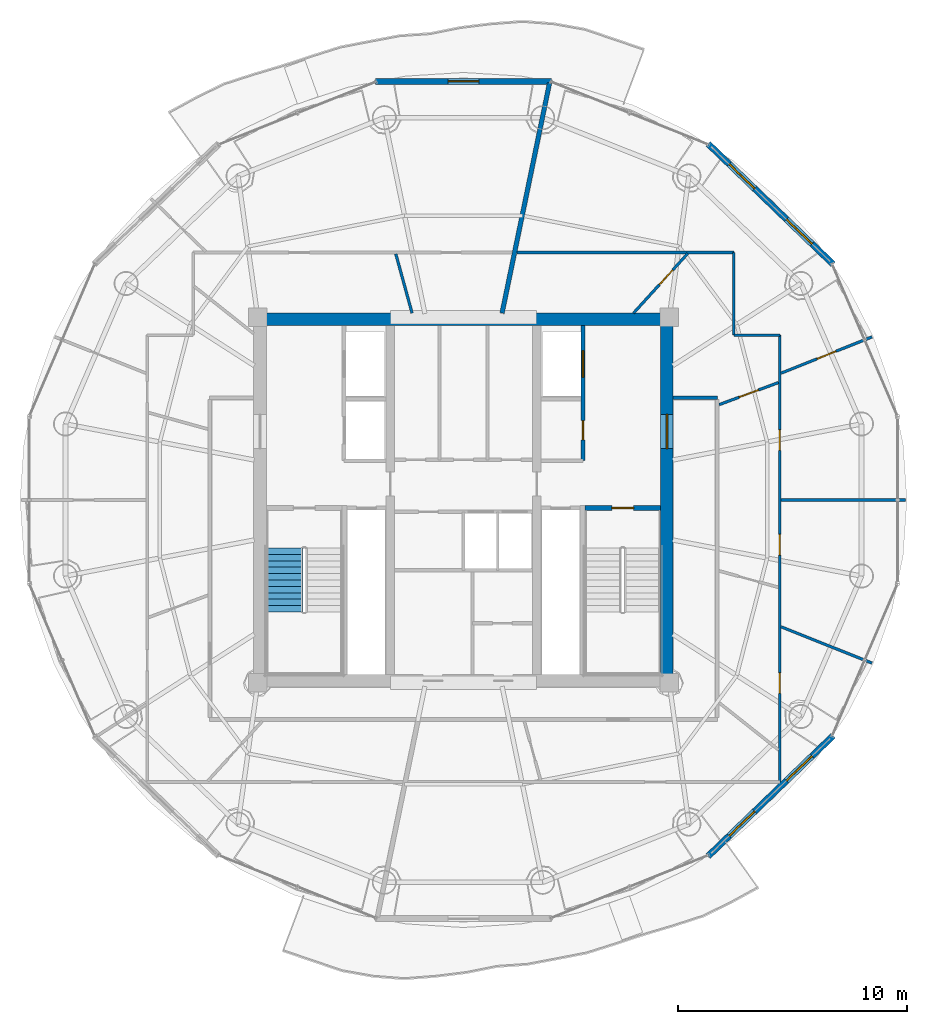
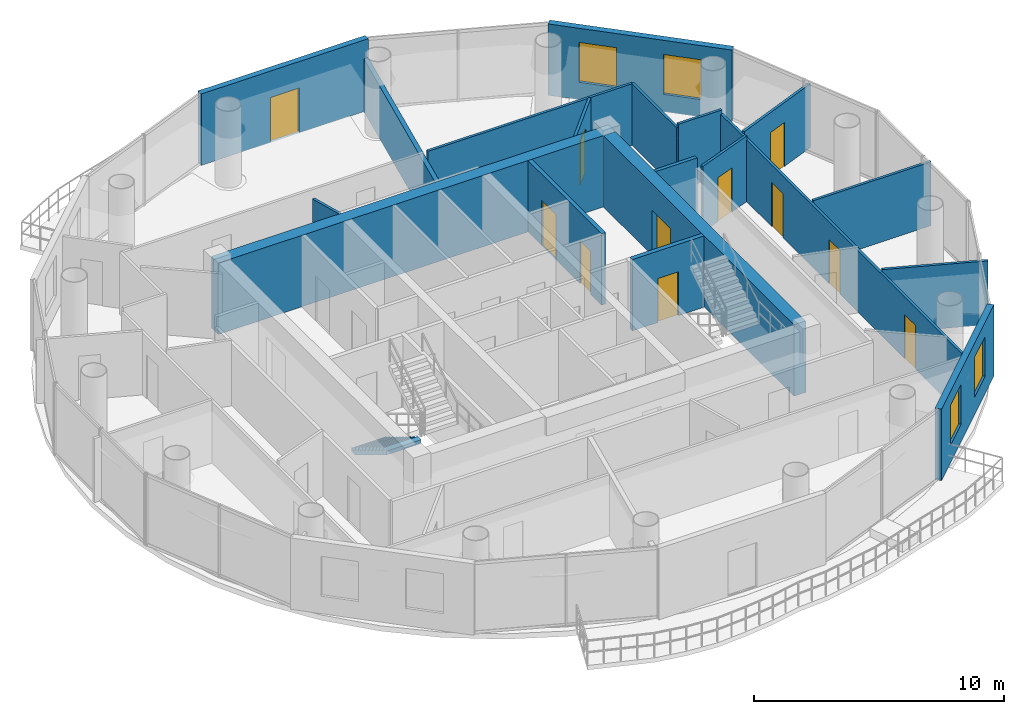
# One storey, part 17 of 22: 19 walls, 11 doors, 4 windows, 1 stair flight, 15 openings, 1 element without a shape of its own.
"""IFC4 building model written with IfcOpenShell, lengths in metres."""

from ifc_helpers import new_model, si_unit, direction, frame, frame_2d, origin, place, context, subcontext, project, spatial, polyline, rectangle, outline, extrude, source, transform, mapped, material, layer, layer_set, type_object, element, fill, aggregate, save


model = new_model("IFC4")

# Units and contexts
model_context = context("Model", 3, precision=1e-05, world=origin(), true_north=direction((-0.2419218956, 0.970295726276)))
body_context = subcontext(model_context, "Body", "Model", "MODEL_VIEW")
ifc_project = project(units=[si_unit("LENGTHUNIT", "METRE"), si_unit("AREAUNIT", "SQUARE_METRE"), si_unit("VOLUMEUNIT", "CUBIC_METRE"), si_unit("PLANEANGLEUNIT", "RADIAN"), si_unit("MASSUNIT", "GRAM", prefix="KILO")], contexts=[model_context])

# Site, building, storey
site_placement = place(None, origin())
site = spatial("IfcSite", under=ifc_project, at=site_placement, CompositionType="ELEMENT")
building_placement = place(site_placement, origin())
building = spatial("IfcBuilding", under=site, at=building_placement, Name="Cobrevalo Terracotta Tower", CompositionType="ELEMENT")
storey_placement = place(building_placement, frame((0.0, 0.0, 289.449951171875)))
storey = spatial("IfcBuildingStorey", under=building, at=storey_placement, Name="L76", CompositionType="ELEMENT", Elevation=289.449951171875)

# Wall
ifc_material_1 = material(Name="Concrete C50", Category="concrete")
ifc_layer_1 = layer(ifc_material_1, 0.550048828125)
ifc_layer_set_1 = layer_set([ifc_layer_1], Name="Concrete C50")
wall_type_1 = type_object("IfcWallType", Name="Core shear wall 550 mm Concrete C50", PredefinedType="SHEAR", material=ifc_layer_set_1)
wall_1_placement = place(storey_placement, frame((28.824951171875, 34.699951171875, 0.0), z_axis=(0.0, 0.0, 1.0), x_axis=(1.0, 0.0, 0.0)))
element("IfcWall", 1, at=wall_1_placement, inside=storey, type_object=wall_type_1, Name="L76 north core shear wall", PredefinedType="SHEAR", context=body_context, shape_type="SweptSolid", body=[
    extrude(rectangle(XDim=18.35009765625, YDim=0.550048828125, at=frame_2d((9.175048828125, 0.0))), origin(), (0.0, 0.0, 1.0), 3.489990234375),
])

# Wall, opening, door
wall_2_placement = place(storey_placement, frame((46.89990234375, 19.175048828125, 0.0), z_axis=(0.0, 0.0, 1.0), x_axis=(0.0, 1.0, 0.0)))
wall_2 = element("IfcWall", 2, at=wall_2_placement, inside=storey, type_object=wall_type_1, Name="L76 east core shear wall", PredefinedType="SHEAR", context=body_context, shape_type="SweptSolid", body=[
    extrude(rectangle(XDim=15.25, YDim=0.550048828125, at=frame_2d((7.625, 0.0))), origin(), (0.0, 0.0, 1.0), 3.489990234375),
])
opening_1_placement = place(wall_2_placement, frame((9.875, 0.0, 0.0)))
opening_1 = element("IfcOpeningElement", 3, at=opening_1_placement, cuts=wall_2, Name="Opening ID-14", PredefinedType="OPENING", context=body_context, shape_type="SweptSolid", body=[
    extrude(rectangle(XDim=1.5, YDim=2.199951171875, at=frame_2d((0.75, 1.10009765625))), frame((0.0, 0.28515625, 0.0), z_axis=(0.0, -1.0, 0.0), x_axis=(1.0, 0.0, 0.0)), (0.0, 0.0, 1.0), 0.570068359375),
])
ifc_material_2 = material(Name="Galvanized fire-rated steel", Category="steel")
door_type_1 = type_object("IfcDoorType", Name="Core cross-lobby double fire door 1500x2200 EI 90", OperationType="NOTDEFINED", PredefinedType="DOOR", material=ifc_material_2)
shared_shape_1 = source(origin(), body_context, "Body", "SweptSolid", [
    extrude(rectangle(XDim=1.5, YDim=2.199951171875, at=frame_2d((0.75, 1.10009765625))), frame((0.0, 0.02490234375, 0.0), z_axis=(0.0, -1.0, 0.0), x_axis=(1.0, 0.0, 0.0)), (0.0, 0.0, 1.0), 0.050048828125),
])
door_1_placement = place(opening_1_placement, frame((1.5, 0.0, 0.0), z_axis=(0.0, 0.0, 1.0), x_axis=(-1.0, 0.0, 0.0)))
door_1 = element("IfcDoor", 4, at=door_1_placement, inside=storey, type_object=door_type_1, Name="L76 east firefighting lobby entrance door", OperationType="DOUBLE_DOOR_SINGLE_SWING", OverallHeight=2.199951171875, OverallWidth=1.5, PredefinedType="DOOR", context=body_context, shape_type="MappedRepresentation", body=[
    mapped(shared_shape_1, transform((0.0, 0.0, 0.0), scale=1.0)),
])
fill(opening_1, door_1)

# Wall
ifc_material_3 = material(Name="Gypsum board on steel stud", Category="steel")
ifc_layer_2 = layer(ifc_material_3, 0.159912109375)
ifc_layer_set_2 = layer_set([ifc_layer_2], Name="Gypsum board on steel stud")
wall_type_2 = type_object("IfcWallType", Name="Fire-rated corridor acoustic partition wall 160 mm", PredefinedType="PARTITIONING", material=ifc_layer_set_2)
wall_3_placement = place(storey_placement, frame((47.175048828125, 31.280029296875, 0.0), z_axis=(0.0, 0.0, 1.0), x_axis=(1.0, 0.0, 0.0)))
element("IfcWall", 5, at=wall_3_placement, inside=storey, type_object=wall_type_2, Name="L76 interior partition IW-L76-COR-EN-CAP", PredefinedType="PARTITIONING", context=body_context, shape_type="SweptSolid", body=[
    extrude(rectangle(XDim=1.929931640625, YDim=0.159912109375, at=frame_2d((0.96484375, 0.0))), origin(), (0.0, 0.0, 1.0), 3.489990234375),
])

# Wall, openings, doors
ifc_layer_3 = layer(ifc_material_3, 0.179931640625)
ifc_layer_set_3 = layer_set([ifc_layer_3], Name="Gypsum board on steel stud")
wall_type_3 = type_object("IfcWallType", Name="Fire-rated shaft & lobby acoustic partition wall 180 mm", PredefinedType="PARTITIONING", material=ifc_layer_set_3)
wall_4_placement = place(storey_placement, frame((43.22998046875, 28.52001953125, 0.0), z_axis=(0.0, 0.0, 1.0), x_axis=(0.0, 1.0, 0.0)))
wall_4 = element("IfcWall", 6, at=wall_4_placement, inside=storey, type_object=wall_type_3, Name="L76 interior partition IW-L76-FF2-E", PredefinedType="PARTITIONING", context=body_context, shape_type="SweptSolid", body=[
    extrude(rectangle(XDim=5.905029296875, YDim=0.179931640625, at=frame_2d((2.95263671875, 0.0))), origin(), (0.0, 0.0, 1.0), 3.489990234375),
])
opening_2_placement = place(wall_4_placement, frame((0.905029296875, 0.0, 0.0)))
opening_2 = element("IfcOpeningElement", 7, at=opening_2_placement, cuts=wall_4, Name="Opening ID-22", PredefinedType="OPENING", context=body_context, shape_type="SweptSolid", body=[
    extrude(rectangle(XDim=0.85009765625, YDim=2.10009765625, at=frame_2d((0.425048828125, 1.050048828125))), frame((0.0, 0.10009765625, 0.0), z_axis=(0.0, -1.0, 0.0), x_axis=(1.0, 0.0, 0.0)), (0.0, 0.0, 1.0), 0.199951171875),
])
opening_3_placement = place(wall_4_placement, frame((3.655029296875, 0.0, 0.0)))
opening_3 = element("IfcOpeningElement", 8, at=opening_3_placement, cuts=wall_4, Name="Opening LD-02", PredefinedType="OPENING", context=body_context, shape_type="SweptSolid", body=[
    extrude(rectangle(XDim=1.14990234375, YDim=2.199951171875, at=frame_2d((0.574951171875, 1.10009765625))), frame((0.0, 0.10009765625, 0.0), z_axis=(0.0, -1.0, 0.0), x_axis=(1.0, 0.0, 0.0)), (0.0, 0.0, 1.0), 0.199951171875),
])
ifc_material_4 = material(Name="Powder-coated steel", Category="steel")
door_type_2 = type_object("IfcDoorType", Name="Riser shaft & meter closet fire access door 850x2100 EI 60", OperationType="NOTDEFINED", PredefinedType="DOOR", material=ifc_material_4)
shared_shape_2 = source(origin(), body_context, "Body", "SweptSolid", [
    extrude(rectangle(XDim=0.85009765625, YDim=2.10009765625, at=frame_2d((0.425048828125, 1.050048828125))), frame((0.0, 0.02490234375, 0.0), z_axis=(0.0, -1.0, 0.0), x_axis=(1.0, 0.0, 0.0)), (0.0, 0.0, 1.0), 0.050048828125),
])
door_2_placement = place(opening_2_placement, frame((0.85009765625, 0.0, 0.0), z_axis=(0.0, 0.0, 1.0), x_axis=(-1.0, 0.0, 0.0)))
door_2 = element("IfcDoor", 9, at=door_2_placement, inside=storey, type_object=door_type_2, Name="L76 housekeeping store door", OperationType="SINGLE_SWING_RIGHT", OverallHeight=2.10009765625, OverallWidth=0.85009765625, PredefinedType="DOOR", context=body_context, shape_type="MappedRepresentation", body=[
    mapped(shared_shape_2, transform((0.0, 0.0, 0.0), scale=1.0)),
])
fill(opening_2, door_2)
ifc_material_5 = material(Name="Brushed stainless steel", Category="steel")
door_type_3 = type_object("IfcDoorType", Name="Firefighting lift landing bi-parting sliding door 1150x2200 EI 120", OperationType="DOUBLE_DOOR_SLIDING", PredefinedType="DOOR", material=ifc_material_5)
shared_shape_3 = source(origin(), body_context, "Body", "SweptSolid", [
    extrude(rectangle(XDim=1.14990234375, YDim=2.199951171875, at=frame_2d((0.574951171875, 1.10009765625))), frame((0.0, 0.02490234375, 0.0), z_axis=(0.0, -1.0, 0.0), x_axis=(1.0, 0.0, 0.0)), (0.0, 0.0, 1.0), 0.050048828125),
])
door_3_placement = place(opening_3_placement, origin())
door_3 = element("IfcDoor", 10, at=door_3_placement, inside=storey, type_object=door_type_3, Name="L76 lift landing door FF-2", OperationType="DOUBLE_DOOR_SLIDING", OverallHeight=2.199951171875, OverallWidth=1.14990234375, PredefinedType="DOOR", context=body_context, shape_type="MappedRepresentation", body=[
    mapped(shared_shape_3, transform((0.0, 0.0, 0.0), scale=1.0)),
])
fill(opening_3, door_3)

# Wall
ifc_material_6 = material(Name="Autoclaved aerated concrete block", Category="concrete")
ifc_layer_4 = layer(ifc_material_6, 0.199951171875)
ifc_layer_set_4 = layer_set([ifc_layer_4], Name="Autoclaved aerated concrete block")
wall_type_4 = type_object("IfcWallType", Name="Fire-rated stair, shaft & demising masonry wall 200 mm", PredefinedType="PARTITIONING", material=ifc_layer_set_4)
wall_5_placement = place(storey_placement, frame((39.6875, 34.97705078125, 0.0), z_axis=(0.0, 0.0, 1.0), x_axis=(0.202091890364, 0.979366564596, 0.0)))
element("IfcWall", 11, at=wall_5_placement, inside=storey, type_object=wall_type_4, Name="L76 interior partition IW-L76-DEM-1", PredefinedType="PARTITIONING", context=body_context, shape_type="SweptSolid", body=[
    extrude(rectangle(XDim=10.2783203125, YDim=0.199951171875, at=frame_2d((5.13916015625, 0.0))), origin(), (0.0, 0.0, 1.0), 2.574951171875),
])

# Wall, openings, windows
ifc_layer_5 = layer(ifc_material_6, 0.280029296875)
ifc_layer_set_5 = layer_set([ifc_layer_5], Name="Autoclaved aerated concrete block")
wall_type_5 = type_object("IfcWallType", Name="Insulated tower spandrel & pier wall 280 mm with terracotta rainscreen", PredefinedType="SOLIDWALL", material=ifc_layer_set_5)
wall_6_placement = place(storey_placement, frame((54.1630859375, 37.116943359375, 0.0), z_axis=(0.0, 0.0, 1.0), x_axis=(-0.719979309073, 0.693995529169, 0.0)))
wall_6 = element("IfcWall", 12, at=wall_6_placement, inside=storey, type_object=wall_type_5, Name="L76 terracotta rainscreen pier wall S02", PredefinedType="SOLIDWALL", context=body_context, shape_type="SweptSolid", body=[
    extrude(rectangle(XDim=7.58251953125, YDim=0.280029296875, at=frame_2d((3.791259765625, 0.0))), origin(), (0.0, 0.0, 1.0), 3.489990234375),
])
opening_4_placement = place(wall_6_placement, frame((1.272216796875, 0.0, 0.85009765625)))
opening_4 = element("IfcOpeningElement", 13, at=opening_4_placement, cuts=wall_6, Name="Opening WN-12", PredefinedType="OPENING", context=body_context, shape_type="SweptSolid", body=[
    extrude(rectangle(XDim=1.550048828125, YDim=1.949951171875, at=frame_2d((0.77490234375, 0.97509765625))), frame((0.0, 0.14990234375, 0.0), z_axis=(0.0, -1.0, 0.0), x_axis=(1.0, 0.0, 0.0)), (0.0, 0.0, 1.0), 0.300048828125),
])
opening_5_placement = place(wall_6_placement, frame((4.76025390625, 0.0, 0.85009765625)))
opening_5 = element("IfcOpeningElement", 14, at=opening_5_placement, cuts=wall_6, Name="Opening WN-12", PredefinedType="OPENING", context=body_context, shape_type="SweptSolid", body=[
    extrude(rectangle(XDim=1.550048828125, YDim=1.949951171875, at=frame_2d((0.77490234375, 0.97509765625))), frame((0.0, 0.14990234375, 0.0), z_axis=(0.0, -1.0, 0.0), x_axis=(1.0, 0.0, 0.0)), (0.0, 0.0, 1.0), 0.300048828125),
])
ifc_material_7 = material(Name="Solar-control low-E double glazing", Category="glass")
window_type = type_object("IfcWindowType", Name="Solar-control low-E aluminium window 1550x1950", PartitioningType="SINGLE_PANEL", PredefinedType="WINDOW", material=ifc_material_7)
shared_shape_4 = source(origin(), body_context, "Body", "SweptSolid", [
    extrude(rectangle(XDim=1.550048828125, YDim=1.949951171875, at=frame_2d((0.77490234375, 0.97509765625))), frame((0.0, 0.030029296875, 0.0), z_axis=(0.0, -1.0, 0.0), x_axis=(1.0, 0.0, 0.0)), (0.0, 0.0, 1.0), 0.06005859375),
])
window_1_placement = place(opening_4_placement, origin())
window_1 = element("IfcWindow", 15, at=window_1_placement, inside=storey, type_object=window_type, Name="L76 suite window S02A", OverallHeight=1.949951171875, OverallWidth=1.550048828125, PartitioningType="SINGLE_PANEL", PredefinedType="WINDOW", context=body_context, shape_type="MappedRepresentation", body=[
    mapped(shared_shape_4, transform((0.0, 0.0, 0.0), scale=1.0)),
])
fill(opening_4, window_1)
window_2_placement = place(opening_5_placement, origin())
window_2 = element("IfcWindow", 16, at=window_2_placement, inside=storey, type_object=window_type, Name="L76 suite window S02B", OverallHeight=1.949951171875, OverallWidth=1.550048828125, PartitioningType="SINGLE_PANEL", PredefinedType="WINDOW", context=body_context, shape_type="MappedRepresentation", body=[
    mapped(shared_shape_4, transform((0.0, 0.0, 0.0), scale=1.0)),
])
fill(opening_5, window_2)

wall_7_placement = place(storey_placement, frame((48.703857421875, 11.220947265625, 0.0), z_axis=(0.0, 0.0, 1.0), x_axis=(0.719995397366, 0.69397883813, 0.0)))
wall_7 = element("IfcWall", 17, at=wall_7_placement, inside=storey, type_object=wall_type_5, Name="L76 terracotta rainscreen pier wall S14", PredefinedType="SOLIDWALL", context=body_context, shape_type="SweptSolid", body=[
    extrude(rectangle(XDim=7.582275390625, YDim=0.280029296875, at=frame_2d((3.791015625, 0.0))), origin(), (0.0, 0.0, 1.0), 3.489990234375),
])
opening_6_placement = place(wall_7_placement, frame((1.272216796875, 0.0, 0.85009765625)))
opening_6 = element("IfcOpeningElement", 18, at=opening_6_placement, cuts=wall_7, Name="Opening WN-12", PredefinedType="OPENING", context=body_context, shape_type="SweptSolid", body=[
    extrude(rectangle(XDim=1.550048828125, YDim=1.949951171875, at=frame_2d((0.77490234375, 0.97509765625))), frame((0.0, 0.14990234375, 0.0), z_axis=(0.0, -1.0, 0.0), x_axis=(1.0, 0.0, 0.0)), (0.0, 0.0, 1.0), 0.300048828125),
])
opening_7_placement = place(wall_7_placement, frame((4.76025390625, 0.0, 0.85009765625)))
opening_7 = element("IfcOpeningElement", 19, at=opening_7_placement, cuts=wall_7, Name="Opening WN-12", PredefinedType="OPENING", context=body_context, shape_type="SweptSolid", body=[
    extrude(rectangle(XDim=1.550048828125, YDim=1.949951171875, at=frame_2d((0.77490234375, 0.97509765625))), frame((0.0, 0.14990234375, 0.0), z_axis=(0.0, -1.0, 0.0), x_axis=(1.0, 0.0, 0.0)), (0.0, 0.0, 1.0), 0.300048828125),
])
window_3_placement = place(opening_6_placement, origin())
window_3 = element("IfcWindow", 20, at=window_3_placement, inside=storey, type_object=window_type, Name="L76 suite window S14A", OverallHeight=1.949951171875, OverallWidth=1.550048828125, PartitioningType="SINGLE_PANEL", PredefinedType="WINDOW", context=body_context, shape_type="MappedRepresentation", body=[
    mapped(shared_shape_4, transform((0.0, 0.0, 0.0), scale=1.0)),
])
fill(opening_6, window_3)
window_4_placement = place(opening_7_placement, origin())
window_4 = element("IfcWindow", 21, at=window_4_placement, inside=storey, type_object=window_type, Name="L76 suite window S14B", OverallHeight=1.949951171875, OverallWidth=1.550048828125, PartitioningType="SINGLE_PANEL", PredefinedType="WINDOW", context=body_context, shape_type="MappedRepresentation", body=[
    mapped(shared_shape_4, transform((0.0, 0.0, 0.0), scale=1.0)),
])
fill(opening_7, window_4)

# Wall, opening, door
ifc_layer_6 = layer(ifc_material_6, 0.260009765625)
ifc_layer_set_6 = layer_set([ifc_layer_6], Name="Autoclaved aerated concrete block")
wall_type_6 = type_object("IfcWallType", Name="Recessed balcony loggia insulated exterior wall 260 mm", PredefinedType="SOLIDWALL", material=ifc_layer_set_6)
wall_8_placement = place(storey_placement, frame((41.85888671875, 45.111328125, 0.0), z_axis=(0.0, 0.0, 1.0), x_axis=(-1.0, 0.0, 0.0)))
wall_8 = element("IfcWall", 22, at=wall_8_placement, inside=storey, type_object=wall_type_6, Name="L76 balcony loggia wall S04", PredefinedType="SOLIDWALL", context=body_context, shape_type="SweptSolid", body=[
    extrude(rectangle(XDim=7.7177734375, YDim=0.260009765625, at=frame_2d((3.85888671875, 0.0))), origin(), (0.0, 0.0, 1.0), 3.489990234375),
])
opening_8_placement = place(wall_8_placement, frame((3.183837890625, 0.0, 0.0)))
opening_8 = element("IfcOpeningElement", 23, at=opening_8_placement, cuts=wall_8, Name="Opening ED-05", PredefinedType="OPENING", context=body_context, shape_type="SweptSolid", body=[
    extrude(rectangle(XDim=1.35009765625, YDim=2.199951171875, at=frame_2d((0.675048828125, 1.10009765625))), frame((0.0, 0.14013671875, 0.0), z_axis=(0.0, -1.0, 0.0), x_axis=(1.0, 0.0, 0.0)), (0.0, 0.0, 1.0), 0.280029296875),
])
ifc_material_8 = material(Name="Anodized aluminium and laminated glass", Category="aluminium")
door_type_4 = type_object("IfcDoorType", Name="Suite balcony acoustic glazed terrace door 1350x2200", OperationType="NOTDEFINED", PredefinedType="DOOR", material=ifc_material_8)
shared_shape_5 = source(origin(), body_context, "Body", "SweptSolid", [
    extrude(rectangle(XDim=1.35009765625, YDim=2.199951171875, at=frame_2d((0.675048828125, 1.10009765625))), frame((0.0, 0.02490234375, 0.0), z_axis=(0.0, -1.0, 0.0), x_axis=(1.0, 0.0, 0.0)), (0.0, 0.0, 1.0), 0.050048828125),
])
door_4_placement = place(opening_8_placement, frame((1.35009765625, 0.0, 0.0), z_axis=(0.0, 0.0, 1.0), x_axis=(-1.0, 0.0, 0.0)))
door_4 = element("IfcDoor", 24, at=door_4_placement, inside=storey, type_object=door_type_4, Name="L76 glazed balcony terrace door 1", OperationType="SINGLE_SWING_LEFT", OverallHeight=2.199951171875, OverallWidth=1.35009765625, PredefinedType="DOOR", context=body_context, shape_type="MappedRepresentation", body=[
    mapped(shared_shape_5, transform((0.0, 0.0, 0.0), scale=1.0)),
])
fill(opening_8, door_4)

# Walls
ifc_layer_7 = layer(ifc_material_3, 0.1201171875)
ifc_layer_set_7 = layer_set([ifc_layer_7], Name="Gypsum board on steel stud")
wall_type_7 = type_object("IfcWallType", Name="Residential internal acoustic stud partition 120 mm", PredefinedType="PARTITIONING", material=ifc_layer_set_7)
wall_9_placement = place(storey_placement, frame((35.750732421875, 34.97705078125, 0.0), z_axis=(0.0, 0.0, 1.0), x_axis=(-0.26521778697, 0.964188532122, 0.0)))
element("IfcWall", 25, at=wall_9_placement, inside=storey, type_object=wall_type_7, Name="L76 interior partition IW-L76-U1-IRAD1", PredefinedType="PARTITIONING", context=body_context, shape_type="SweptSolid", body=[
    extrude(rectangle(XDim=2.684326171875, YDim=0.1201171875, at=frame_2d((1.34228515625, 0.0))), origin(), (0.0, 0.0, 1.0), 2.574951171875),
])
wall_10_placement = place(storey_placement, frame((40.3359375, 37.625, 0.0), z_axis=(0.0, 0.0, 1.0), x_axis=(1.0, 0.0, 0.0)))
element("IfcWall", 26, at=wall_10_placement, inside=storey, type_object=wall_type_7, Name="L76 interior partition IW-L76-U2-RING0_0", PredefinedType="PARTITIONING", context=body_context, shape_type="SweptSolid", body=[
    extrude(rectangle(XDim=9.489013671875, YDim=0.1201171875, at=frame_2d((4.74462890625, 0.0))), origin(), (0.0, 0.0, 1.0), 3.01513671875),
])
wall_11_placement = place(storey_placement, frame((49.824951171875, 37.625, 0.0), z_axis=(0.0, 0.0, 1.0), x_axis=(0.0, -1.0, 0.0)))
element("IfcWall", 27, at=wall_11_placement, inside=storey, type_object=wall_type_7, Name="L76 interior partition IW-L76-U2-RING1_0", PredefinedType="PARTITIONING", context=body_context, shape_type="SweptSolid", body=[
    extrude(rectangle(XDim=3.614990234375, YDim=0.1201171875, at=frame_2d((1.8076171875, 0.0))), origin(), (0.0, 0.0, 1.0), 3.01513671875),
])
wall_12_placement = place(storey_placement, frame((49.824951171875, 34.010009765625, 0.0), z_axis=(0.0, 0.0, 1.0), x_axis=(1.0, 0.0, 0.0)))
element("IfcWall", 28, at=wall_12_placement, inside=storey, type_object=wall_type_7, Name="L76 interior partition IW-L76-U2-RING2_0", PredefinedType="PARTITIONING", context=body_context, shape_type="SweptSolid", body=[
    extrude(rectangle(XDim=2.010009765625, YDim=0.1201171875, at=frame_2d((1.0048828125, 0.0))), origin(), (0.0, 0.0, 1.0), 3.208984375),
])

# Wall, openings, doors
wall_13_placement = place(storey_placement, frame((51.8349609375, 34.010009765625, 0.0), z_axis=(0.0, 0.0, 1.0), x_axis=(0.0, -1.0, 0.0)))
wall_13 = element("IfcWall", 29, at=wall_13_placement, inside=storey, type_object=wall_type_7, Name="L76 interior partition IW-L76-U2-RING3_0", PredefinedType="PARTITIONING", context=body_context, shape_type="SweptSolid", body=[
    extrude(rectangle(XDim=19.544921875, YDim=0.1201171875, at=frame_2d((9.7724609375, 0.0))), origin(), (0.0, 0.0, 1.0), 3.01513671875),
])
opening_9_placement = place(wall_13_placement, frame((14.767578125, 0.0, 0.0)))
opening_9 = element("IfcOpeningElement", 30, at=opening_9_placement, cuts=wall_13, Name="Opening ID-12", PredefinedType="OPENING", context=body_context, shape_type="SweptSolid", body=[
    extrude(rectangle(XDim=0.89990234375, YDim=2.14990234375, at=frame_2d((0.449951171875, 1.074951171875))), frame((0.0, 0.070068359375, 0.0), z_axis=(0.0, -1.0, 0.0), x_axis=(1.0, 0.0, 0.0)), (0.0, 0.0, 1.0), 0.14013671875),
])
opening_10_placement = place(wall_13_placement, frame((8.71826171875, 0.0, 0.0)))
opening_10 = element("IfcOpeningElement", 31, at=opening_10_placement, cuts=wall_13, Name="Opening ID-12", PredefinedType="OPENING", context=body_context, shape_type="SweptSolid", body=[
    extrude(rectangle(XDim=0.89990234375, YDim=2.14990234375, at=frame_2d((0.449951171875, 1.074951171875))), frame((0.0, 0.070068359375, 0.0), z_axis=(0.0, -1.0, 0.0), x_axis=(1.0, 0.0, 0.0)), (0.0, 0.0, 1.0), 0.14013671875),
])
opening_11_placement = place(wall_13_placement, frame((4.140380859375, 0.0, 0.0)))
opening_11 = element("IfcOpeningElement", 32, at=opening_11_placement, cuts=wall_13, Name="Opening ID-12", PredefinedType="OPENING", context=body_context, shape_type="SweptSolid", body=[
    extrude(rectangle(XDim=0.89990234375, YDim=2.14990234375, at=frame_2d((0.449951171875, 1.074951171875))), frame((0.0, 0.070068359375, 0.0), z_axis=(0.0, -1.0, 0.0), x_axis=(1.0, 0.0, 0.0)), (0.0, 0.0, 1.0), 0.14013671875),
])
ifc_material_9 = material(Name="Engineered timber", Category="wood")
door_type_5 = type_object("IfcDoorType", Name="Internal residence & suite timber door 900x2150", OperationType="NOTDEFINED", PredefinedType="DOOR", material=ifc_material_9)
shared_shape_6 = source(origin(), body_context, "Body", "SweptSolid", [
    extrude(rectangle(XDim=0.89990234375, YDim=2.14990234375, at=frame_2d((0.449951171875, 1.074951171875))), frame((0.0, 0.02490234375, 0.0), z_axis=(0.0, -1.0, 0.0), x_axis=(1.0, 0.0, 0.0)), (0.0, 0.0, 1.0), 0.050048828125),
])
door_5_placement = place(opening_9_placement, frame((0.89990234375, 0.0, 0.0), z_axis=(0.0, 0.0, 1.0), x_axis=(-1.0, 0.0, 0.0)))
door_5 = element("IfcDoor", 33, at=door_5_placement, inside=storey, type_object=door_type_5, Name="Flat L76B Kitchen internal door", OperationType="SINGLE_SWING_RIGHT", OverallHeight=2.14990234375, OverallWidth=0.89990234375, PredefinedType="DOOR", context=body_context, shape_type="MappedRepresentation", body=[
    mapped(shared_shape_6, transform((0.0, 0.0, 0.0), scale=1.0)),
])
fill(opening_9, door_5)
door_6_placement = place(opening_10_placement, origin())
door_6 = element("IfcDoor", 34, at=door_6_placement, inside=storey, type_object=door_type_5, Name="Flat L76B Master Bedroom internal door", OperationType="SINGLE_SWING_RIGHT", OverallHeight=2.14990234375, OverallWidth=0.89990234375, PredefinedType="DOOR", context=body_context, shape_type="MappedRepresentation", body=[
    mapped(shared_shape_6, transform((0.0, 0.0, 0.0), scale=1.0)),
])
fill(opening_10, door_6)
door_7_placement = place(opening_11_placement, origin())
door_7 = element("IfcDoor", 35, at=door_7_placement, inside=storey, type_object=door_type_5, Name="Flat L76B Penthouse Family Lounge internal door", OperationType="SINGLE_SWING_LEFT", OverallHeight=2.14990234375, OverallWidth=0.89990234375, PredefinedType="DOOR", context=body_context, shape_type="MappedRepresentation", body=[
    mapped(shared_shape_6, transform((0.0, 0.0, 0.0), scale=1.0)),
])
fill(opening_11, door_7)

# Walls
wall_14_placement = place(storey_placement, frame((51.892578125, 21.253173828125, 0.0), z_axis=(0.0, 0.0, 1.0), x_axis=(0.928712556691, -0.370800467966, 0.0)))
element("IfcWall", 36, at=wall_14_placement, inside=storey, type_object=wall_type_7, Name="L76 interior partition IW-L76-U2-ORAD1", PredefinedType="PARTITIONING", context=body_context, shape_type="SweptSolid", body=[
    extrude(rectangle(XDim=4.27978515625, YDim=0.1201171875, at=frame_2d((2.139892578125, 0.0))), origin(), (0.0, 0.0, 1.0), 3.12109375),
])
wall_15_placement = place(storey_placement, frame((51.89697265625, 26.800048828125, 0.0), z_axis=(0.0, 0.0, 1.0), x_axis=(1.0, 0.0, 0.0)))
element("IfcWall", 37, at=wall_15_placement, inside=storey, type_object=wall_type_7, Name="L76 interior partition IW-L76-U2-ORAD2M1", PredefinedType="PARTITIONING", context=body_context, shape_type="SweptSolid", body=[
    extrude(rectangle(XDim=5.443115234375, YDim=0.1201171875, at=frame_2d((2.7216796875, 0.0))), origin(), (0.0, 0.0, 1.0), 3.12109375),
])

# Wall, opening, door
wall_16_placement = place(storey_placement, frame((51.892578125, 32.346923828125, 0.0), z_axis=(0.0, 0.0, 1.0), x_axis=(0.928712556691, 0.370800467966, 0.0)))
wall_16 = element("IfcWall", 38, at=wall_16_placement, inside=storey, type_object=wall_type_7, Name="L76 interior partition IW-L76-U2-ORAD2", PredefinedType="PARTITIONING", context=body_context, shape_type="SweptSolid", body=[
    extrude(rectangle(XDim=4.27978515625, YDim=0.1201171875, at=frame_2d((2.139892578125, 0.0))), origin(), (0.0, 0.0, 1.0), 3.12109375),
])
opening_12_placement = place(wall_16_placement, frame((1.68994140625, 0.0, 0.0)))
opening_12 = element("IfcOpeningElement", 39, at=opening_12_placement, cuts=wall_16, Name="Opening ID-12", PredefinedType="OPENING", context=body_context, shape_type="SweptSolid", body=[
    extrude(rectangle(XDim=0.89990234375, YDim=2.14990234375, at=frame_2d((0.449951171875, 1.074951171875))), frame((0.0, 0.070068359375, 0.0), z_axis=(0.0, -1.0, 0.0), x_axis=(1.0, 0.0, 0.0)), (0.0, 0.0, 1.0), 0.14013671875),
])
door_8_placement = place(opening_12_placement, origin())
door_8 = element("IfcDoor", 40, at=door_8_placement, inside=storey, type_object=door_type_5, Name="Flat L76B Private Cinema Room internal door", OperationType="SINGLE_SWING_RIGHT", OverallHeight=2.14990234375, OverallWidth=0.89990234375, PredefinedType="DOOR", context=body_context, shape_type="MappedRepresentation", body=[
    mapped(shared_shape_6, transform((0.0, 0.0, 0.0), scale=1.0)),
])
fill(opening_12, door_8)

wall_17_placement = place(storey_placement, frame((49.18505859375, 30.970947265625, 0.0), z_axis=(0.0, 0.0, 1.0), x_axis=(0.93696600231, 0.349420535338, 0.0)))
wall_17 = element("IfcWall", 41, at=wall_17_placement, inside=storey, type_object=wall_type_7, Name="L76 interior partition IW-L76-U2-IRAD4", PredefinedType="PARTITIONING", context=body_context, shape_type="SweptSolid", body=[
    extrude(rectangle(XDim=2.76611328125, YDim=0.1201171875, at=frame_2d((1.383056640625, 0.0))), origin(), (0.0, 0.0, 1.0), 3.208984375),
])
opening_13_placement = place(wall_17_placement, frame((0.93310546875, 0.0, 0.0)))
opening_13 = element("IfcOpeningElement", 42, at=opening_13_placement, cuts=wall_17, Name="Opening ID-12", PredefinedType="OPENING", context=body_context, shape_type="SweptSolid", body=[
    extrude(rectangle(XDim=0.89990234375, YDim=2.14990234375, at=frame_2d((0.449951171875, 1.074951171875))), frame((0.0, 0.070068359375, 0.0), z_axis=(0.0, -1.0, 0.0), x_axis=(1.0, 0.0, 0.0)), (0.0, 0.0, 1.0), 0.14013671875),
])
door_9_placement = place(opening_13_placement, origin())
door_9 = element("IfcDoor", 43, at=door_9_placement, inside=storey, type_object=door_type_5, Name="Flat L76B Utility Closet internal door", OperationType="SINGLE_SWING_RIGHT", OverallHeight=2.14990234375, OverallWidth=0.89990234375, PredefinedType="DOOR", context=body_context, shape_type="MappedRepresentation", body=[
    mapped(shared_shape_6, transform((0.0, 0.0, 0.0), scale=1.0)),
])
fill(opening_13, door_9)

wall_18_placement = place(storey_placement, frame((45.43896484375, 34.9765625, 0.0), z_axis=(0.0, 0.0, 1.0), x_axis=(0.672980108938, 0.739660579573, 0.0)))
wall_18 = element("IfcWall", 44, at=wall_18_placement, inside=storey, type_object=wall_type_7, Name="L76 interior partition IW-L76-U2-IRAD5", PredefinedType="PARTITIONING", context=body_context, shape_type="SweptSolid", body=[
    extrude(rectangle(XDim=3.5185546875, YDim=0.1201171875, at=frame_2d((1.75927734375, 0.0))), origin(), (0.0, 0.0, 1.0), 3.01513671875),
])
opening_14_placement = place(wall_18_placement, frame((1.685302734375, 0.0, 0.0)))
opening_14 = element("IfcOpeningElement", 45, at=opening_14_placement, cuts=wall_18, Name="Opening ID-19", PredefinedType="OPENING", context=body_context, shape_type="SweptSolid", body=[
    extrude(rectangle(XDim=0.860107421875, YDim=2.14990234375, at=frame_2d((0.43017578125, 1.074951171875))), frame((0.0, 0.070068359375, 0.0), z_axis=(0.0, -1.0, 0.0), x_axis=(1.0, 0.0, 0.0)), (0.0, 0.0, 1.0), 0.14013671875),
])
ifc_material_10 = material(Name="Moisture-sealed timber", Category="wood")
door_type_6 = type_object("IfcDoorType", Name="Suite bathroom internal timber door 860x2150", OperationType="NOTDEFINED", PredefinedType="DOOR", material=ifc_material_10)
shared_shape_7 = source(origin(), body_context, "Body", "SweptSolid", [
    extrude(rectangle(XDim=0.860107421875, YDim=2.14990234375, at=frame_2d((0.43017578125, 1.074951171875))), frame((0.0, 0.02490234375, 0.0), z_axis=(0.0, -1.0, 0.0), x_axis=(1.0, 0.0, 0.0)), (0.0, 0.0, 1.0), 0.050048828125),
])
door_10_placement = place(opening_14_placement, origin())
door_10 = element("IfcDoor", 46, at=door_10_placement, inside=storey, type_object=door_type_6, Name="Flat L76B Guest Bathroom internal door", OperationType="SINGLE_SWING_LEFT", OverallHeight=2.14990234375, OverallWidth=0.860107421875, PredefinedType="DOOR", context=body_context, shape_type="MappedRepresentation", body=[
    mapped(shared_shape_7, transform((0.0, 0.0, 0.0), scale=1.0)),
])
fill(opening_14, door_10)

ifc_layer_8 = layer(ifc_material_1, 0.199951171875)
ifc_layer_set_8 = layer_set([ifc_layer_8], Name="Concrete C50")
wall_type_8 = type_object("IfcWallType", Name="Structural core & podium stair-shaft RC wall 200 mm Concrete C50", PredefinedType="SOLIDWALL", material=ifc_layer_set_8)
wall_19_placement = place(storey_placement, frame((43.304931640625, 26.449951171875, 0.0), z_axis=(0.0, 0.0, 1.0), x_axis=(1.0, 0.0, 0.0)))
wall_19 = element("IfcWall", 47, at=wall_19_placement, inside=storey, type_object=wall_type_8, Name="L76 ST-2 north structural shaft wall", PredefinedType="SOLIDWALL", context=body_context, shape_type="SweptSolid", body=[
    extrude(rectangle(XDim=3.320068359375, YDim=0.199951171875, at=frame_2d((1.66015625, 0.0))), origin(), (0.0, 0.0, 1.0), 3.489990234375),
])
opening_15_placement = place(wall_19_placement, frame((1.18505859375, 0.0, 0.0)))
opening_15 = element("IfcOpeningElement", 48, at=opening_15_placement, cuts=wall_19, Name="Opening ID-04", PredefinedType="OPENING", context=body_context, shape_type="SweptSolid", body=[
    extrude(rectangle(XDim=0.949951171875, YDim=2.14990234375, at=frame_2d((0.47509765625, 1.074951171875))), frame((0.0, 0.10986328125, 0.0), z_axis=(0.0, -1.0, 0.0), x_axis=(1.0, 0.0, 0.0)), (0.0, 0.0, 1.0), 0.219970703125),
])
door_type_7 = type_object("IfcDoorType", Name="Stair & firefighting lobby fire door 950x2150 EI 90", OperationType="NOTDEFINED", PredefinedType="DOOR", material=ifc_material_2)
shared_shape_8 = source(origin(), body_context, "Body", "SweptSolid", [
    extrude(rectangle(XDim=0.949951171875, YDim=2.14990234375, at=frame_2d((0.47509765625, 1.074951171875))), frame((0.0, 0.02490234375, 0.0), z_axis=(0.0, -1.0, 0.0), x_axis=(1.0, 0.0, 0.0)), (0.0, 0.0, 1.0), 0.050048828125),
])
door_11_placement = place(opening_15_placement, frame((0.949951171875, 0.0, 0.0), z_axis=(0.0, 0.0, 1.0), x_axis=(-1.0, 0.0, 0.0)))
door_11 = element("IfcDoor", 49, at=door_11_placement, inside=storey, type_object=door_type_7, Name="L76 protected stair ST2 fire door", OperationType="SINGLE_SWING_RIGHT", OverallHeight=2.14990234375, OverallWidth=0.949951171875, PredefinedType="DOOR", context=body_context, shape_type="MappedRepresentation", body=[
    mapped(shared_shape_8, transform((0.0, 0.0, 0.0), scale=1.0)),
])
fill(opening_15, door_11)

# Stair, stair flight
stair_type = type_object("IfcStairType", Name="Core protected escape dogleg stair 1600", PredefinedType="HALF_TURN_STAIR", material=ifc_material_1)
stair_placement = place(storey_placement, origin())
stair = element("IfcStair", 50, at=stair_placement, inside=storey, type_object=stair_type, Name="L76 Protected exit stair ST-1", PredefinedType="HALF_TURN_STAIR")
stair_flight_type = type_object("IfcStairFlightType", Name="Core protected escape dogleg stair 1600 flight", PredefinedType="STRAIGHT", material=ifc_material_1)
stair_flight_placement = place(storey_placement, frame((30.175048828125, 24.699951171875, 0.0), z_axis=(0.0, 0.0, 1.0), x_axis=(0.0, -1.0, 0.0)))
stair_flight = element("IfcStairFlight", 51, at=stair_flight_placement, type_object=stair_flight_type, Name="ST-1 flight 1", NumberOfRisers=11, NumberOfTreads=10, PredefinedType="STRAIGHT", RiserHeight=0.170454545, TreadLength=0.28, context=body_context, shape_type="SweptSolid", body=[
    extrude(outline(polyline([(0.0, 0.0), (0.0, 0.17041015625), (0.280029296875, 0.17041015625), (0.280029296875, 0.3408203125), (0.56005859375, 0.3408203125), (0.56005859375, 0.511474609375), (0.840087890625, 0.511474609375), (0.840087890625, 0.681884765625), (1.1201171875, 0.681884765625), (1.1201171875, 0.852294921875), (1.39990234375, 0.852294921875), (1.39990234375, 1.022705078125), (1.679931640625, 1.022705078125), (1.679931640625, 1.193115234375), (1.9599609375, 1.193115234375), (1.9599609375, 1.363525390625), (2.239990234375, 1.363525390625), (2.239990234375, 1.5341796875), (2.52001953125, 1.5341796875), (2.52001953125, 1.70458984375), (2.800048828125, 1.70458984375), (2.800048828125, 1.875), (2.800048828125, 1.517333984375), (0.3076171875, 0.0), (0.0, 0.0)])), frame((0.0, 0.800048828125, 0.0), z_axis=(0.0, -1.0, 0.0), x_axis=(1.0, 0.0, 0.0)), (0.0, 0.0, 1.0), 1.60009765625),
])
aggregate(stair, [stair_flight])

save(model, "model.ifc")
